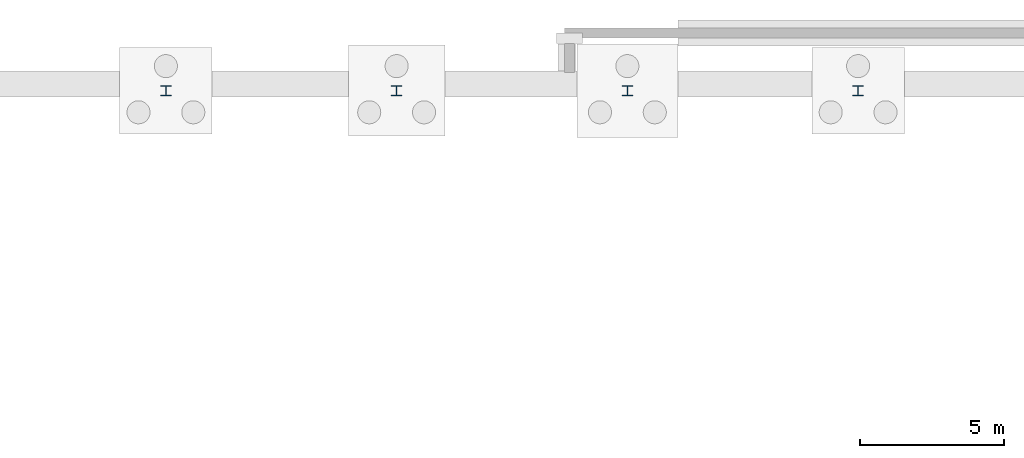
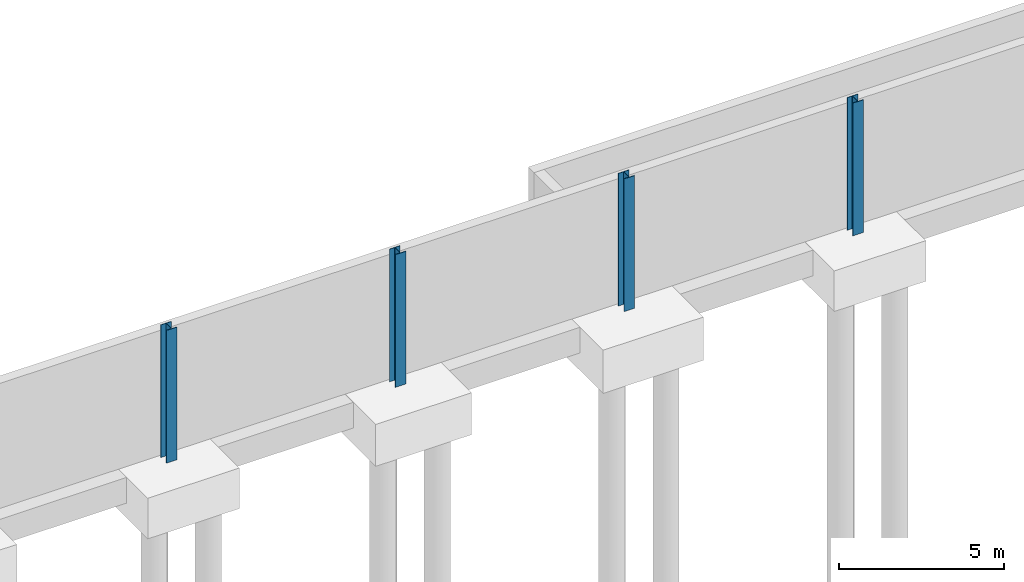
# One storey, part 34 of 51: 4 columns.
"""IFC4 building model written with IfcOpenShell, lengths in metres."""

import ifcopenshell
import ifcopenshell.guid

model = None  # the IFC model being written
_history = None  # IfcOwnerHistory: only IFC2X3 demands one
_inside = {}  # id of a spatial element -> (the spatial element, [elements in it])
_under = {}  # id of a project, library or spatial element -> (it, [spatial elements below it])
_declared = {}  # id of a project -> (the project, [libraries it declares])
_typed = {}  # id of a type object -> (the type object, [elements of that type])
_made_of = {}  # id of a material, layer set ... -> (it, [elements and type objects made of it])


def new_model(schema):
    """Start an empty IFC model of exactly this schema.

    Asked for "IFC4X3", IfcOpenShell would pick the latest addendum, in which some entities
    have other attributes; the version numbers below select the first issue.
    IFC2X3 requires an IfcOwnerHistory on every rooted entity: one is made here for all.
    """
    global model, _history
    if schema == "IFC4X3":
        model = ifcopenshell.file(schema_version=(4, 3, 0, 0))
    else:
        model = ifcopenshell.file(schema=schema)
    _inside.clear()
    _under.clear()
    _declared.clear()
    _typed.clear()
    _made_of.clear()
    _history = None
    if model.schema == "IFC2X3":
        org = make("IfcOrganization", Name="unknown")
        user = make(
            "IfcPersonAndOrganization",
            ThePerson=make("IfcPerson", FamilyName="unknown"),
            TheOrganization=org,
        )
        app = make(
            "IfcApplication",
            ApplicationDeveloper=org,
            Version="unknown",
            ApplicationFullName="unknown",
            ApplicationIdentifier="unknown",
        )
        _history = make(
            "IfcOwnerHistory",
            OwningUser=user,
            OwningApplication=app,
            ChangeAction="ADDED",
            CreationDate=0,
        )
    return model


def make(cls, **values):
    """One entity of the class cls with the attributes given. An attribute that is None is left unset."""
    return model.create_entity(
        cls, **{name: value for name, value in values.items() if value is not None}
    )


def rooted(cls, **values):
    """An entity with a GlobalId (a new one), such as an element, a storey or a relation."""
    return make(cls, GlobalId=ifcopenshell.guid.new(), OwnerHistory=_history, **values)


def si_unit(unit_type, name, prefix=None):
    """IfcSIUnit, for example si_unit("LENGTHUNIT", "METRE", prefix="MILLI")."""
    return make("IfcSIUnit", UnitType=unit_type, Prefix=prefix, Name=name)


def assignment(units):
    """IfcUnitAssignment: the units of a project."""
    return None if units is None else make("IfcUnitAssignment", Units=units)


def point(xyz):
    """IfcCartesianPoint."""
    return None if xyz is None else make("IfcCartesianPoint", Coordinates=xyz)


def direction(xyz):
    """IfcDirection."""
    return None if xyz is None else make("IfcDirection", DirectionRatios=xyz)


def frame(location, z_axis=None, x_axis=None):
    """IfcAxis2Placement3D, a coordinate frame: its origin and axes. An axis left out is left unset."""
    return make(
        "IfcAxis2Placement3D",
        Location=point(location),
        Axis=direction(z_axis),
        RefDirection=direction(x_axis),
    )


def frame_2d(location, x_axis=None):
    """IfcAxis2Placement2D, a coordinate frame in the plane: its origin and x axis."""
    return make(
        "IfcAxis2Placement2D", Location=point(location), RefDirection=direction(x_axis)
    )


def origin():
    """The frame at (0, 0, 0) with its axes left unset."""
    return frame((0.0, 0.0, 0.0))


def origin_2d():
    """The frame at (0, 0) in the plane with its x axis left unset."""
    return frame_2d((0.0, 0.0))


def place(relative_to, where):
    """IfcLocalPlacement: puts the frame where relative to a parent placement (None: the world)."""
    return make(
        "IfcLocalPlacement", PlacementRelTo=relative_to, RelativePlacement=where
    )


def context(
    kind, dimensions, precision=None, world=None, true_north=None, identifier=None
):
    """IfcGeometricRepresentationContext, for example the 3D "Model" context."""
    return make(
        "IfcGeometricRepresentationContext",
        ContextIdentifier=identifier,
        ContextType=kind,
        CoordinateSpaceDimension=dimensions,
        Precision=precision,
        WorldCoordinateSystem=world,
        TrueNorth=true_north,
    )


def subcontext(parent, identifier, kind, view, scale=None):
    """IfcGeometricRepresentationSubContext, for example "Body" below "Model"."""
    return make(
        "IfcGeometricRepresentationSubContext",
        ContextIdentifier=identifier,
        ContextType=kind,
        ParentContext=parent,
        TargetScale=scale,
        TargetView=view,
    )


def project(units=None, contexts=None):
    """IfcProject with its units and contexts."""
    return rooted(
        "IfcProject",
        Name="project",
        RepresentationContexts=contexts,
        UnitsInContext=assignment(units),
    )


def spatial(cls, under=None, at=None, **own):
    """A site, building, storey or space (cls), placed at a placement, below another one or the project."""
    s = rooted(cls, ObjectPlacement=at, **own)
    if under is not None:
        _under.setdefault(under.id(), (under, []))[1].append(s)
    return s


def profile(cls, at=None, kind="AREA", **sizes):
    """A parametric profile (cls). Its sizes go by their IFC names, for example OverallWidth=200.0."""
    return make(cls, ProfileType=kind, Position=at, **sizes)


def i_section(**sizes):
    """IfcIShapeProfileDef."""
    return profile("IfcIShapeProfileDef", **sizes)


def extrude(swept, where, along, depth):
    """IfcExtrudedAreaSolid: the profile swept, set in the frame where, extruded along a direction by depth."""
    return make(
        "IfcExtrudedAreaSolid",
        SweptArea=swept,
        Position=where,
        ExtrudedDirection=direction(along),
        Depth=depth,
    )


def shape(context_of_items, identifier, shape_type, items):
    """IfcShapeRepresentation: the items that make up one representation, for example the "Body"."""
    return make(
        "IfcShapeRepresentation",
        ContextOfItems=context_of_items,
        RepresentationIdentifier=identifier,
        RepresentationType=shape_type,
        Items=items,
    )


def material(Name=None, Category=None):
    """IfcMaterial."""
    return make("IfcMaterial", Name=Name, Category=Category)


def material_profile(
    of_material, cross_section, Name=None, Category=None, Priority=None
):
    """IfcMaterialProfile: a cross section and its material."""
    return make(
        "IfcMaterialProfile",
        Name=Name,
        Material=of_material,
        Profile=cross_section,
        Priority=Priority,
        Category=Category,
    )


def profile_set(profiles, Name=None, composite=None):
    """IfcMaterialProfileSet."""
    return make(
        "IfcMaterialProfileSet",
        Name=Name,
        MaterialProfiles=profiles,
        CompositeProfile=composite,
    )


def made_of(thing, what):
    """Note that an element or type object is made of a material, layer set ...; save() writes the relation."""
    if what is not None:
        _made_of.setdefault(what.id(), (what, []))[1].append(thing)
    return thing


def type_object(cls, material=None, **own):
    """A type object (cls), such as IfcWallType, which elements share."""
    return made_of(rooted(cls, **own), material)


def element(
    cls,
    number,
    at=None,
    inside=None,
    cuts=None,
    type_object=None,
    material=None,
    context=None,
    identifier="Body",
    shape_type=None,
    held_by="IfcProductDefinitionShape",
    body=None,
    shapes=None,
    **own,
):
    """One element of the class cls, such as IfcWall. Its Tag is "e" and its number.

    at: its placement. inside: the storey or other place that contains it. cuts: it is an
    opening in that element (IfcRelVoidsElement). A single representation is given by context,
    identifier, shape_type and body (its items); several are given by shapes. held_by: the class
    of the entity that holds the representations. save() writes the other relations.
    """
    e = rooted(cls, Tag="e%d" % number, ObjectPlacement=at, **own)
    if body is not None:
        shapes = [shape(context, identifier, shape_type, body)]
    if shapes is not None:
        e.Representation = make(held_by, Representations=shapes)
    if inside is not None:
        _inside.setdefault(inside.id(), (inside, []))[1].append(e)
    if cuts is not None:
        rooted(
            "IfcRelVoidsElement", RelatingBuildingElement=cuts, RelatedOpeningElement=e
        )
    if type_object is not None:
        _typed.setdefault(type_object.id(), (type_object, []))[1].append(e)
    return made_of(e, material)


def aggregate(whole, parts):
    """IfcRelAggregates: a whole, such as a stair, and the parts it consists of."""
    return rooted("IfcRelAggregates", RelatingObject=whole, RelatedObjects=parts)


def save(model, path):
    """Write the relations noted so far, then the file.

    IfcRelAggregates (storeys below a building ...), IfcRelContainedInSpatialStructure (elements
    in a storey), IfcRelDefinesByType, IfcRelAssociatesMaterial and IfcRelDeclares: one each for
    every whole, place, type object, material and project.
    """
    for whole, parts in _under.values():
        aggregate(whole, parts)
    for where, things in _inside.values():
        rooted(
            "IfcRelContainedInSpatialStructure",
            RelatedElements=things,
            RelatingStructure=where,
        )
    for kind, things in _typed.values():
        rooted("IfcRelDefinesByType", RelatedObjects=things, RelatingType=kind)
    for what, things in _made_of.values():
        rooted("IfcRelAssociatesMaterial", RelatedObjects=things, RelatingMaterial=what)
    for by, libraries in _declared.values():
        rooted("IfcRelDeclares", RelatingContext=by, RelatedDefinitions=libraries)
    model.write(path)


model = new_model("IFC4")

# Units and contexts
model_context = context("Model", 3, precision=1e-05, world=origin(), true_north=direction((0.0, 1.0)))
body_context = subcontext(model_context, "Body", "Model", "MODEL_VIEW")
ifc_project = project(units=[si_unit("LENGTHUNIT", "METRE"), si_unit("AREAUNIT", "SQUARE_METRE"), si_unit("VOLUMEUNIT", "CUBIC_METRE"), si_unit("PLANEANGLEUNIT", "RADIAN"), si_unit("MASSUNIT", "GRAM", prefix="KILO")], contexts=[model_context])

# Site, building, storey
site_placement = place(None, origin())
site = spatial("IfcSite", under=ifc_project, at=site_placement, CompositionType="ELEMENT")
building_placement = place(site_placement, origin())
building = spatial("IfcBuilding", under=site, at=building_placement, Name="Jelvoka-Kovrelna Polytechnic", CompositionType="ELEMENT")
storey_placement = place(building_placement, frame((0.0, 0.0, -4.5)))
storey = spatial("IfcBuildingStorey", under=building, at=storey_placement, Name="B01", CompositionType="ELEMENT", Elevation=-4.5)

# Columns
ifc_material = material(Name="Structural steel S355JR", Category="steel")
ifc_material_profile = material_profile(ifc_material, i_section(OverallWidth=0.36865234375, OverallDepth=0.355712890625, WebThickness=0.010498046875, FlangeThickness=0.017578125, FilletRadius=0.01513671875, at=origin_2d()), Name="356x368x129 UC")
ifc_profile_set = profile_set([ifc_material_profile], Name="Structural steel S355JR")
column_type = type_object("IfcColumnType", Name="Col_Steel_UC356", PredefinedType="COLUMN", material=ifc_profile_set)
for number, where, z_axis, x_axis, name in (
    (1, (168.0, 120.0, -0.405029296875), (0.0, 0.0, 1.0), (1.0, 0.0, 0.0), "B01 column 1650"),
    (2, (176.0, 120.0, -0.405029296875), (0.0, 0.0, 1.0), (1.0, 0.0, 0.0), "B01 column 1653"),
    (3, (184.0, 120.0, -0.405029296875), (0.0, 0.0, 1.0), (1.0, 0.0, 0.0), "B01 column 1656"),
    (4, (192.0, 120.0, -0.405029296875), (0.0, 0.0, 1.0), (1.0, 0.0, 0.0), "B01 column 1659"),
):
    element("IfcColumn", number, at=place(storey_placement, frame(where, z_axis=z_axis, x_axis=x_axis)), inside=storey, type_object=column_type, Name=name, PredefinedType="COLUMN", context=body_context, shape_type="SweptSolid", body=[
        extrude(i_section(OverallWidth=0.36865234375, OverallDepth=0.355712890625, WebThickness=0.010498046875, FlangeThickness=0.017578125, FilletRadius=0.01513671875, at=origin_2d()), origin(), (0.0, 0.0, 1.0), 4.905029296875),
    ])

save(model, "model.ifc")
